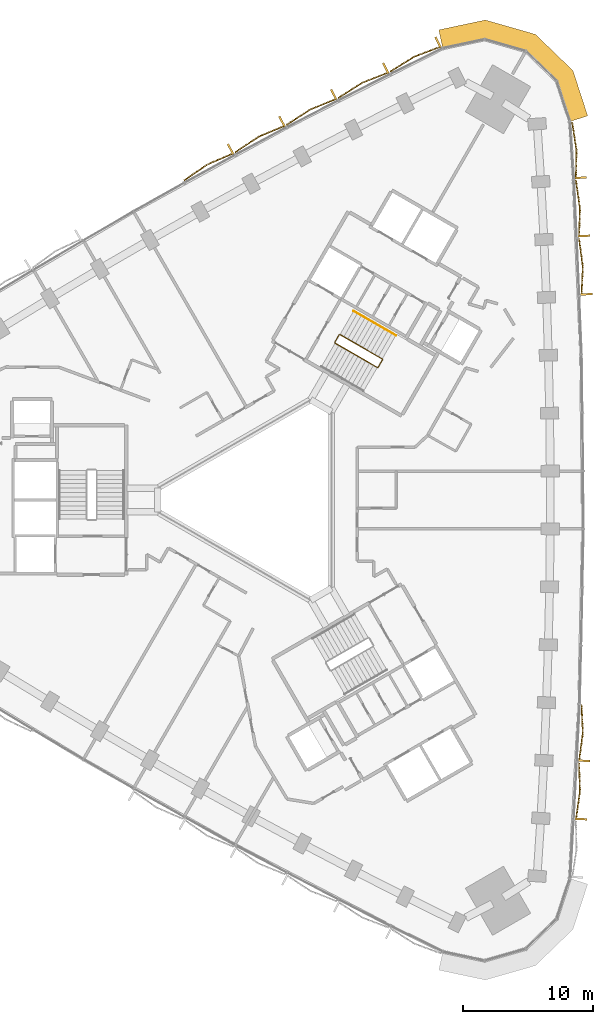
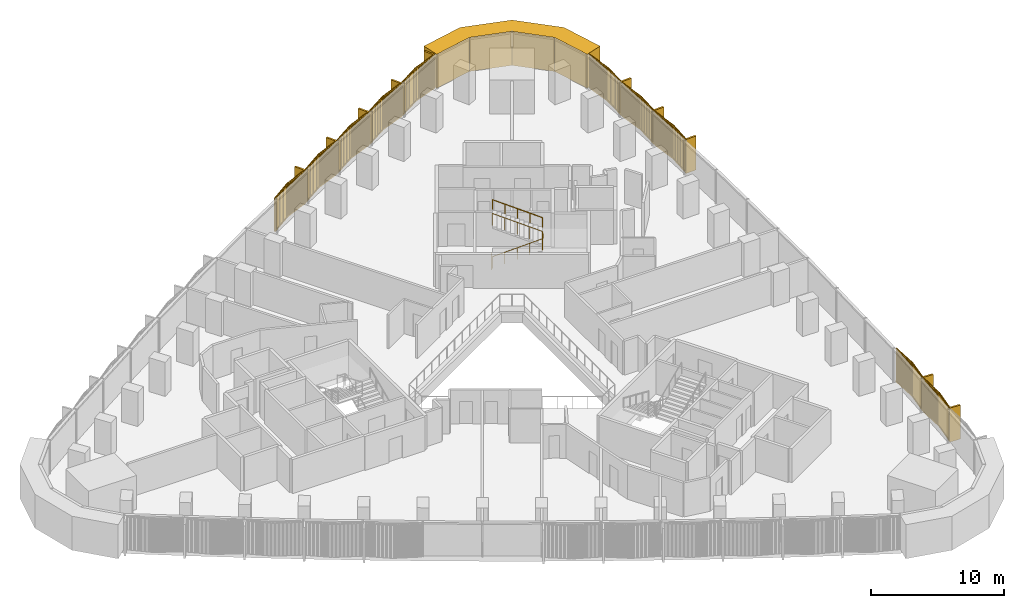
# One storey, part 15 of 15: 11 coverings, 2 railings.
"""IFC4 building model written with IfcOpenShell, lengths in metres."""

from ifc_helpers import new_model, si_unit, direction, frame, frame_2d, origin, origin_2d, place, context, subcontext, project, spatial, polyline, rectangle, circle, outline, extrude, source, transform, mapped, material, layer, layer_set, type_object, element, save


model = new_model("IFC4")

# Units and contexts
model_context = context("Model", 3, precision=1e-05, world=origin(), true_north=direction((0.0, 1.0)))
body_context = subcontext(model_context, "Body", "Model", "MODEL_VIEW")
ifc_project = project(units=[si_unit("LENGTHUNIT", "METRE"), si_unit("AREAUNIT", "SQUARE_METRE"), si_unit("VOLUMEUNIT", "CUBIC_METRE"), si_unit("PLANEANGLEUNIT", "RADIAN"), si_unit("MASSUNIT", "GRAM", prefix="KILO")], contexts=[model_context])

# Site, building, storey
site_placement = place(None, origin())
site = spatial("IfcSite", under=ifc_project, at=site_placement, CompositionType="ELEMENT")
building_placement = place(site_placement, origin())
building = spatial("IfcBuilding", under=site, at=building_placement, Name="Tamra Quay Hotel Tower", CompositionType="ELEMENT")
storey_placement = place(building_placement, frame((0.0, 0.0, 53.0)))
storey = spatial("IfcBuildingStorey", under=building, at=storey_placement, Name="L11", CompositionType="ELEMENT", Elevation=53.0)

# Covering
ifc_material_1 = material(Name="Precast concrete M60 terracotta-coloured", Category="masonry")
ifc_layer = layer(ifc_material_1, 1.449951171875)
ifc_layer_set = layer_set([ifc_layer], Name="CORNER PIER PANEL")
covering_type_1 = type_object("IfcCoveringType", Name="CORNER PIER PANEL", PredefinedType="CLADDING", material=ifc_layer_set)
covering_placement = place(storey_placement, origin())
element("IfcCovering", 1, at=covering_placement, inside=storey, type_object=covering_type_1, Name="Corner pier L11.east", PredefinedType="CLADDING", context=body_context, shape_type="SweptSolid", body=[
    extrude(outline(polyline([(23.40869140625, 29.210693359375), (24.78759765625, 29.658935546875), (23.65380859375, 33.148193359375), (20.75439453125, 35.947998046875), (16.88037109375, 37.058837890625), (13.29150390625, 36.296142578125), (13.593017578125, 34.877685546875), (16.828125, 35.5654296875), (20.00732421875, 34.65380859375), (22.386474609375, 32.356201171875), (23.40869140625, 29.210693359375)])), origin(), (0.0, 0.0, 1.0), 3.125),
])

# Railings
ifc_material_2 = material(Name="Stair guard 1100")
railing_type_1 = type_object("IfcRailingType", Name="Stair guard 1100", PredefinedType="GUARDRAIL", material=ifc_material_2)
railing_1_placement = place(storey_placement, frame((5.595458984375, 12.751953125, 0.0)))
element("IfcRailing", 2, at=railing_1_placement, inside=storey, type_object=railing_type_1, Name="GR", PredefinedType="GUARDRAIL", context=body_context, shape_type="SweptSolid", body=[
    extrude(circle(Radius=0.02392578125, at=origin_2d()), frame((0.0, 0.0, 1.076171875), z_axis=(-0.499765215335, -0.866160914346, 0.0), x_axis=(0.866160914346, -0.499765215335, 0.0)), (0.0, 0.0, 1.0), 0.658935546875),
    extrude(circle(Radius=0.02392578125, at=origin_2d()), frame((-0.329345703125, -0.57080078125, 1.076171875), z_axis=(0.110525977783, -0.411156637351, 0.904839338113), x_axis=(0.965715946433, 0.259601060869, 0.0)), (0.0, 0.0, 1.0), 0.165771484375),
    extrude(circle(Radius=0.02392578125, at=origin_2d()), frame((-0.31103515625, -0.638916015625, 1.22607421875), z_axis=(0.79305953016, -0.457922937641, 0.401700342053), x_axis=(0.500040788363, 0.866001853331, 0.0)), (0.0, 0.0, 1.0), 4.10791015625),
    extrude(circle(Radius=0.02392578125, at=origin_2d()), frame((2.94677734375, -2.52001953125, 2.8759765625), z_axis=(0.965948051503, 0.258736085224, 0.0), x_axis=(-0.258736085224, 0.965948051503, 0.0)), (0.0, 0.0, 1.0), 0.07080078125),
    extrude(circle(Radius=0.02392578125, at=origin_2d()), frame((3.01513671875, -2.501708984375, 2.8759765625), z_axis=(0.500043078269, 0.866000531106, 0.0), x_axis=(-0.866000531106, 0.500043078269, 0.0)), (0.0, 0.0, 1.0), 0.6591796875),
    extrude(circle(Radius=0.02392578125, at=origin_2d()), frame((3.3447265625, -1.930908203125, 2.8759765625), z_axis=(-0.110525977783, 0.411156637351, 0.904839338113), x_axis=(-0.965715946433, -0.259601060869, 0.0)), (0.0, 0.0, 1.0), 0.165771484375),
    extrude(circle(Radius=0.02392578125, at=origin_2d()), frame((3.326416015625, -1.86279296875, 3.02587890625), z_axis=(-0.793081581205, 0.457901355053, 0.401681409319), x_axis=(-0.500012686397, -0.866018079166, 0.0)), (0.0, 0.0, 1.0), 4.108154296875),
    extrude(circle(Radius=0.02099609375, at=origin_2d()), origin(), (0.0, 0.0, 1.0), 1.052001953125),
    extrude(circle(Radius=0.02099609375, at=origin_2d()), frame((-0.329345703125, -0.57080078125, 0.0)), (0.0, 0.0, 1.0), 1.052001953125),
    extrude(circle(Radius=0.02099609375, at=origin_2d()), frame((-0.31103515625, -0.638916015625, 0.14990234375)), (0.0, 0.0, 1.0), 1.052001953125),
    extrude(circle(Radius=0.02099609375, at=origin_2d()), frame((0.50341796875, -1.109130859375, 0.5625)), (0.0, 0.0, 1.0), 1.052001953125),
    extrude(circle(Radius=0.02099609375, at=origin_2d()), frame((1.31787109375, -1.57958984375, 0.97509765625)), (0.0, 0.0, 1.0), 1.052001953125),
    extrude(circle(Radius=0.02099609375, at=origin_2d()), frame((2.13232421875, -2.0498046875, 1.387451171875)), (0.0, 0.0, 1.0), 1.052001953125),
    extrude(circle(Radius=0.02099609375, at=origin_2d()), frame((2.94677734375, -2.52001953125, 1.800048828125)), (0.0, 0.0, 1.0), 1.052001953125),
    extrude(circle(Radius=0.02099609375, at=origin_2d()), frame((3.01513671875, -2.501708984375, 1.800048828125)), (0.0, 0.0, 1.0), 1.052001953125),
    extrude(circle(Radius=0.02099609375, at=origin_2d()), frame((3.3447265625, -1.930908203125, 1.800048828125)), (0.0, 0.0, 1.0), 1.052001953125),
    extrude(circle(Radius=0.02099609375, at=origin_2d()), frame((3.326416015625, -1.86279296875, 1.949951171875)), (0.0, 0.0, 1.0), 1.052001953125),
    extrude(circle(Radius=0.02099609375, at=origin_2d()), frame((2.511962890625, -1.392578125, 2.362548828125)), (0.0, 0.0, 1.0), 1.052001953125),
    extrude(circle(Radius=0.02099609375, at=origin_2d()), frame((1.697265625, -0.92236328125, 2.77490234375)), (0.0, 0.0, 1.0), 1.052001953125),
    extrude(circle(Radius=0.02099609375, at=origin_2d()), frame((0.8828125, -0.451904296875, 3.1875)), (0.0, 0.0, 1.0), 1.052001953125),
    extrude(circle(Radius=0.02099609375, at=origin_2d()), frame((0.068359375, 0.018310546875, 3.60009765625)), (0.0, 0.0, 1.0), 1.052001953125),
])
ifc_material_3 = material(Name="Stair handrail 900")
railing_type_2 = type_object("IfcRailingType", Name="Stair handrail 900", PredefinedType="HANDRAIL", material=ifc_material_3)
railing_2_placement = place(storey_placement, frame((9.971923828125, 12.7080078125, 1.949951171875)))
element("IfcRailing", 3, at=railing_2_placement, inside=storey, type_object=railing_type_2, Name="HR", PredefinedType="HANDRAIL", context=body_context, shape_type="SweptSolid", body=[
    extrude(circle(Radius=0.02392578125, at=origin_2d()), frame((0.0, 0.0, 0.8759765625), z_axis=(-0.793103162556, 0.457854384738, 0.401692339881), x_axis=(-0.499964013922, -0.86604617936, 0.0)), (0.0, 0.0, 1.0), 4.10791015625),
    extrude(circle(Radius=0.02099609375, at=origin_2d()), origin(), (0.0, 0.0, 1.0), 0.851806640625),
    extrude(circle(Radius=0.02099609375, at=origin_2d()), frame((-0.814453125, 0.47021484375, 0.41259765625)), (0.0, 0.0, 1.0), 0.851806640625),
    extrude(circle(Radius=0.02099609375, at=origin_2d()), frame((-1.62890625, 0.9404296875, 0.8251953125)), (0.0, 0.0, 1.0), 0.851806640625),
    extrude(circle(Radius=0.02099609375, at=origin_2d()), frame((-2.443603515625, 1.41064453125, 1.237548828125)), (0.0, 0.0, 1.0), 0.851806640625),
    extrude(circle(Radius=0.02099609375, at=origin_2d()), frame((-3.258056640625, 1.880859375, 1.650146484375)), (0.0, 0.0, 1.0), 0.851806640625),
])

# Coverings
ifc_material_4 = material(Name="Terracotta baguette extruded", Category="masonry")
covering_type_2 = type_object("IfcCoveringType", Name="BAGUETTE SCREEN E-V H3125", PredefinedType="USERDEFINED", material=ifc_material_4)
shared_shape_1 = source(origin(), body_context, "Body", "SweptSolid", [
    extrude(rectangle(XDim=2.2109375, YDim=0.06005859375, at=frame_2d((1.10546875, 0.030029296875))), frame((-2.207763671875, -0.057861328125, -0.1201171875), z_axis=(0.0, 0.0, 1.0), x_axis=(0.996194698092, -0.087155742748, 0.0)), (0.0, 0.0, 1.0), 0.1201171875),
    extrude(rectangle(XDim=2.2109375, YDim=0.06005859375, at=frame_2d((1.10546875, 0.030029296875))), frame((-2.207763671875, -0.057861328125, -3.125), z_axis=(0.0, 0.0, 1.0), x_axis=(0.996194698092, -0.087155742748, 0.0)), (0.0, 0.0, 1.0), 0.1201171875),
    extrude(rectangle(XDim=0.070068359375, YDim=0.10009765625, at=frame_2d((0.03515625, 0.050048828125))), frame((-2.1875, -0.13232421875, -3.06494140625)), (0.0, 0.0, 1.0), 3.0048828125),
    extrude(rectangle(XDim=0.070068359375, YDim=0.10009765625, at=frame_2d((0.03515625, 0.050048828125))), frame((-2.08740234375, -0.14111328125, -3.06494140625)), (0.0, 0.0, 1.0), 3.0048828125),
    extrude(rectangle(XDim=0.070068359375, YDim=0.10009765625, at=frame_2d((0.03515625, 0.050048828125))), frame((-1.9873046875, -0.14990234375, -3.06494140625)), (0.0, 0.0, 1.0), 3.0048828125),
    extrude(rectangle(XDim=0.070068359375, YDim=0.10009765625, at=frame_2d((0.03515625, 0.050048828125))), frame((-1.88720703125, -0.15869140625, -3.06494140625)), (0.0, 0.0, 1.0), 3.0048828125),
    extrude(rectangle(XDim=0.070068359375, YDim=0.10009765625, at=frame_2d((0.03515625, 0.050048828125))), frame((-1.787109375, -0.16748046875, -3.06494140625)), (0.0, 0.0, 1.0), 3.0048828125),
    extrude(rectangle(XDim=0.070068359375, YDim=0.10009765625, at=frame_2d((0.03515625, 0.050048828125))), frame((-1.686767578125, -0.17626953125, -3.06494140625)), (0.0, 0.0, 1.0), 3.0048828125),
    extrude(rectangle(XDim=0.070068359375, YDim=0.10009765625, at=frame_2d((0.03515625, 0.050048828125))), frame((-1.586669921875, -0.184814453125, -3.06494140625)), (0.0, 0.0, 1.0), 3.0048828125),
    extrude(rectangle(XDim=0.070068359375, YDim=0.10009765625, at=frame_2d((0.03515625, 0.050048828125))), frame((-1.486572265625, -0.193603515625, -3.06494140625)), (0.0, 0.0, 1.0), 3.0048828125),
    extrude(rectangle(XDim=0.070068359375, YDim=0.10009765625, at=frame_2d((0.03515625, 0.050048828125))), frame((-1.386474609375, -0.202392578125, -3.06494140625)), (0.0, 0.0, 1.0), 3.0048828125),
    extrude(rectangle(XDim=0.070068359375, YDim=0.10009765625, at=frame_2d((0.03515625, 0.050048828125))), frame((-1.286376953125, -0.211181640625, -3.06494140625)), (0.0, 0.0, 1.0), 3.0048828125),
    extrude(rectangle(XDim=0.070068359375, YDim=0.10009765625, at=frame_2d((0.03515625, 0.050048828125))), frame((-1.186279296875, -0.219970703125, -3.06494140625)), (0.0, 0.0, 1.0), 3.0048828125),
    extrude(rectangle(XDim=0.070068359375, YDim=0.10009765625, at=frame_2d((0.03515625, 0.050048828125))), frame((-1.086181640625, -0.228759765625, -3.06494140625)), (0.0, 0.0, 1.0), 3.0048828125),
    extrude(rectangle(XDim=0.070068359375, YDim=0.10009765625, at=frame_2d((0.03515625, 0.050048828125))), frame((-0.986083984375, -0.237548828125, -3.06494140625)), (0.0, 0.0, 1.0), 3.0048828125),
    extrude(rectangle(XDim=0.070068359375, YDim=0.10009765625, at=frame_2d((0.03515625, 0.050048828125))), frame((-0.885986328125, -0.246337890625, -3.06494140625)), (0.0, 0.0, 1.0), 3.0048828125),
    extrude(rectangle(XDim=0.070068359375, YDim=0.10009765625, at=frame_2d((0.03515625, 0.050048828125))), frame((-0.785888671875, -0.2548828125, -3.06494140625)), (0.0, 0.0, 1.0), 3.0048828125),
    extrude(rectangle(XDim=0.070068359375, YDim=0.10009765625, at=frame_2d((0.03515625, 0.050048828125))), frame((-0.685791015625, -0.263671875, -3.06494140625)), (0.0, 0.0, 1.0), 3.0048828125),
    extrude(rectangle(XDim=0.070068359375, YDim=0.10009765625, at=frame_2d((0.03515625, 0.050048828125))), frame((-0.585693359375, -0.2724609375, -3.06494140625)), (0.0, 0.0, 1.0), 3.0048828125),
    extrude(rectangle(XDim=0.070068359375, YDim=0.10009765625, at=frame_2d((0.03515625, 0.050048828125))), frame((-0.485595703125, -0.28125, -3.06494140625)), (0.0, 0.0, 1.0), 3.0048828125),
    extrude(rectangle(XDim=0.070068359375, YDim=0.10009765625, at=frame_2d((0.03515625, 0.050048828125))), frame((-0.385498046875, -0.2900390625, -3.06494140625)), (0.0, 0.0, 1.0), 3.0048828125),
    extrude(rectangle(XDim=0.070068359375, YDim=0.10009765625, at=frame_2d((0.03515625, 0.050048828125))), frame((-0.285400390625, -0.298828125, -3.06494140625)), (0.0, 0.0, 1.0), 3.0048828125),
    extrude(rectangle(XDim=0.070068359375, YDim=0.10009765625, at=frame_2d((0.03515625, 0.050048828125))), frame((-0.18505859375, -0.3076171875, -3.06494140625)), (0.0, 0.0, 1.0), 3.0048828125),
    extrude(rectangle(XDim=0.070068359375, YDim=0.10009765625, at=frame_2d((0.03515625, 0.050048828125))), frame((-0.0849609375, -0.31640625, -3.06494140625)), (0.0, 0.0, 1.0), 3.0048828125),
    extrude(rectangle(XDim=2.2109375, YDim=0.06005859375, at=frame_2d((1.10546875, 0.030029296875))), frame((0.005126953125, -0.25048828125, -0.1201171875), z_axis=(0.0, 0.0, 1.0), x_axis=(0.996194698092, 0.087155742748, 0.0)), (0.0, 0.0, 1.0), 0.1201171875),
    extrude(rectangle(XDim=2.2109375, YDim=0.06005859375, at=frame_2d((1.10546875, 0.030029296875))), frame((0.005126953125, -0.25048828125, -3.125), z_axis=(0.0, 0.0, 1.0), x_axis=(0.996194698092, 0.087155742748, 0.0)), (0.0, 0.0, 1.0), 0.1201171875),
    extrude(rectangle(XDim=0.070068359375, YDim=0.10009765625, at=frame_2d((0.03515625, 0.050048828125))), frame((0.01513671875, -0.31640625, -3.06494140625)), (0.0, 0.0, 1.0), 3.0048828125),
    extrude(rectangle(XDim=0.070068359375, YDim=0.10009765625, at=frame_2d((0.03515625, 0.050048828125))), frame((0.115234375, -0.3076171875, -3.06494140625)), (0.0, 0.0, 1.0), 3.0048828125),
    extrude(rectangle(XDim=0.070068359375, YDim=0.10009765625, at=frame_2d((0.03515625, 0.050048828125))), frame((0.21533203125, -0.298828125, -3.06494140625)), (0.0, 0.0, 1.0), 3.0048828125),
    extrude(rectangle(XDim=0.070068359375, YDim=0.10009765625, at=frame_2d((0.03515625, 0.050048828125))), frame((0.3154296875, -0.2900390625, -3.06494140625)), (0.0, 0.0, 1.0), 3.0048828125),
    extrude(rectangle(XDim=0.070068359375, YDim=0.10009765625, at=frame_2d((0.03515625, 0.050048828125))), frame((0.41552734375, -0.28125, -3.06494140625)), (0.0, 0.0, 1.0), 3.0048828125),
    extrude(rectangle(XDim=0.070068359375, YDim=0.10009765625, at=frame_2d((0.03515625, 0.050048828125))), frame((0.515625, -0.2724609375, -3.06494140625)), (0.0, 0.0, 1.0), 3.0048828125),
    extrude(rectangle(XDim=0.070068359375, YDim=0.10009765625, at=frame_2d((0.03515625, 0.050048828125))), frame((0.61572265625, -0.263671875, -3.06494140625)), (0.0, 0.0, 1.0), 3.0048828125),
    extrude(rectangle(XDim=0.070068359375, YDim=0.10009765625, at=frame_2d((0.03515625, 0.050048828125))), frame((0.7158203125, -0.2548828125, -3.06494140625)), (0.0, 0.0, 1.0), 3.0048828125),
    extrude(rectangle(XDim=0.070068359375, YDim=0.10009765625, at=frame_2d((0.03515625, 0.050048828125))), frame((0.81591796875, -0.246337890625, -3.06494140625)), (0.0, 0.0, 1.0), 3.0048828125),
    extrude(rectangle(XDim=0.070068359375, YDim=0.10009765625, at=frame_2d((0.03515625, 0.050048828125))), frame((0.916015625, -0.237548828125, -3.06494140625)), (0.0, 0.0, 1.0), 3.0048828125),
    extrude(rectangle(XDim=0.070068359375, YDim=0.10009765625, at=frame_2d((0.03515625, 0.050048828125))), frame((1.01611328125, -0.228759765625, -3.06494140625)), (0.0, 0.0, 1.0), 3.0048828125),
    extrude(rectangle(XDim=0.070068359375, YDim=0.10009765625, at=frame_2d((0.03515625, 0.050048828125))), frame((1.1162109375, -0.219970703125, -3.06494140625)), (0.0, 0.0, 1.0), 3.0048828125),
    extrude(rectangle(XDim=0.070068359375, YDim=0.10009765625, at=frame_2d((0.03515625, 0.050048828125))), frame((1.21630859375, -0.211181640625, -3.06494140625)), (0.0, 0.0, 1.0), 3.0048828125),
    extrude(rectangle(XDim=0.070068359375, YDim=0.10009765625, at=frame_2d((0.03515625, 0.050048828125))), frame((1.316650390625, -0.202392578125, -3.06494140625)), (0.0, 0.0, 1.0), 3.0048828125),
    extrude(rectangle(XDim=0.070068359375, YDim=0.10009765625, at=frame_2d((0.03515625, 0.050048828125))), frame((1.416748046875, -0.193603515625, -3.06494140625)), (0.0, 0.0, 1.0), 3.0048828125),
    extrude(rectangle(XDim=0.070068359375, YDim=0.10009765625, at=frame_2d((0.03515625, 0.050048828125))), frame((1.516845703125, -0.184814453125, -3.06494140625)), (0.0, 0.0, 1.0), 3.0048828125),
    extrude(rectangle(XDim=0.070068359375, YDim=0.10009765625, at=frame_2d((0.03515625, 0.050048828125))), frame((1.616943359375, -0.17626953125, -3.06494140625)), (0.0, 0.0, 1.0), 3.0048828125),
    extrude(rectangle(XDim=0.070068359375, YDim=0.10009765625, at=frame_2d((0.03515625, 0.050048828125))), frame((1.717041015625, -0.16748046875, -3.06494140625)), (0.0, 0.0, 1.0), 3.0048828125),
    extrude(rectangle(XDim=0.070068359375, YDim=0.10009765625, at=frame_2d((0.03515625, 0.050048828125))), frame((1.817138671875, -0.15869140625, -3.06494140625)), (0.0, 0.0, 1.0), 3.0048828125),
    extrude(rectangle(XDim=0.070068359375, YDim=0.10009765625, at=frame_2d((0.03515625, 0.050048828125))), frame((1.917236328125, -0.14990234375, -3.06494140625)), (0.0, 0.0, 1.0), 3.0048828125),
    extrude(rectangle(XDim=0.070068359375, YDim=0.10009765625, at=frame_2d((0.03515625, 0.050048828125))), frame((2.017333984375, -0.14111328125, -3.06494140625)), (0.0, 0.0, 1.0), 3.0048828125),
    extrude(rectangle(XDim=0.070068359375, YDim=0.10009765625, at=frame_2d((0.03515625, 0.050048828125))), frame((2.117431640625, -0.13232421875, -3.06494140625)), (0.0, 0.0, 1.0), 3.0048828125),
    extrude(rectangle(XDim=0.14990234375, YDim=0.902099609375, at=frame_2d((0.074951171875, 0.451171875))), frame((-2.202392578125, -0.89990234375, -3.125)), (0.0, 0.0, 1.0), 3.125),
])
for number, where, z_axis, x_axis, name in (
    (4, (23.939453125, -22.484130859375, 3.125), (0.0, 0.0, 1.0), (0.054062119595, 0.998537574268, 0.0), "Baguette screen L11.E.f01"),
    (5, (24.158447265625, -17.990234375, 3.125), (0.0, 0.0, 1.0), (0.043285462035, 0.999062745165, 0.0), "Baguette screen L11.E.f02"),
    (6, (24.158447265625, 17.990234375, 3.125), (0.0, 0.0, 1.0), (-0.043285462035, 0.999062745165, 0.0), "Baguette screen L11.E.f10"),
    (7, (23.939453125, 22.484130859375, 3.125), (0.0, 0.0, 1.0), (-0.054062119595, 0.998537574268, 0.0), "Baguette screen L11.E.f11"),
    (8, (23.672119140625, 26.97509765625, 3.125), (0.0, 0.0, 1.0), (-0.064813097616, 0.997897420769, 0.0), "Baguette screen L11.E.f12"),
):
    element("IfcCovering", number, at=place(storey_placement, frame(where, z_axis=z_axis, x_axis=x_axis)), inside=storey, type_object=covering_type_2, Name=name, ObjectType="BAGUETTE SCREEN", PredefinedType="USERDEFINED", context=body_context, shape_type="MappedRepresentation", body=[
        mapped(shared_shape_1, transform((0.0, 0.0, 0.0), scale=1.0)),
    ])
covering_type_3 = type_object("IfcCoveringType", Name="BAGUETTE SCREEN NW-V H3125", PredefinedType="USERDEFINED", material=ifc_material_4)
shared_shape_2 = source(origin(), body_context, "Body", "SweptSolid", [
    extrude(rectangle(XDim=2.212646484375, YDim=0.06005859375, at=frame_2d((1.1064453125, 0.030029296875))), frame((-2.208251953125, -0.0576171875, -0.1201171875), z_axis=(0.0, 0.0, 1.0), x_axis=(0.995396198367, -0.09584575252, 0.0)), (0.0, 0.0, 1.0), 0.1201171875),
    extrude(rectangle(XDim=2.212646484375, YDim=0.06005859375, at=frame_2d((1.1064453125, 0.030029296875))), frame((-2.208251953125, -0.0576171875, -3.125), z_axis=(0.0, 0.0, 1.0), x_axis=(0.995396198367, -0.09584575252, 0.0)), (0.0, 0.0, 1.0), 0.1201171875),
    extrude(rectangle(XDim=0.070068359375, YDim=0.10009765625, at=frame_2d((0.03515625, 0.050048828125))), frame((-2.1875, -0.1328125, -3.06494140625)), (0.0, 0.0, 1.0), 3.0048828125),
    extrude(rectangle(XDim=0.070068359375, YDim=0.10009765625, at=frame_2d((0.03515625, 0.050048828125))), frame((-2.08740234375, -0.142578125, -3.06494140625)), (0.0, 0.0, 1.0), 3.0048828125),
    extrude(rectangle(XDim=0.070068359375, YDim=0.10009765625, at=frame_2d((0.03515625, 0.050048828125))), frame((-1.9873046875, -0.152099609375, -3.06494140625)), (0.0, 0.0, 1.0), 3.0048828125),
    extrude(rectangle(XDim=0.070068359375, YDim=0.10009765625, at=frame_2d((0.03515625, 0.050048828125))), frame((-1.88720703125, -0.16162109375, -3.06494140625)), (0.0, 0.0, 1.0), 3.0048828125),
    extrude(rectangle(XDim=0.070068359375, YDim=0.10009765625, at=frame_2d((0.03515625, 0.050048828125))), frame((-1.787109375, -0.17138671875, -3.06494140625)), (0.0, 0.0, 1.0), 3.0048828125),
    extrude(rectangle(XDim=0.070068359375, YDim=0.10009765625, at=frame_2d((0.03515625, 0.050048828125))), frame((-1.686767578125, -0.180908203125, -3.06494140625)), (0.0, 0.0, 1.0), 3.0048828125),
    extrude(rectangle(XDim=0.070068359375, YDim=0.10009765625, at=frame_2d((0.03515625, 0.050048828125))), frame((-1.586669921875, -0.190673828125, -3.06494140625)), (0.0, 0.0, 1.0), 3.0048828125),
    extrude(rectangle(XDim=0.070068359375, YDim=0.10009765625, at=frame_2d((0.03515625, 0.050048828125))), frame((-1.486572265625, -0.2001953125, -3.06494140625)), (0.0, 0.0, 1.0), 3.0048828125),
    extrude(rectangle(XDim=0.070068359375, YDim=0.10009765625, at=frame_2d((0.03515625, 0.050048828125))), frame((-1.386474609375, -0.2099609375, -3.06494140625)), (0.0, 0.0, 1.0), 3.0048828125),
    extrude(rectangle(XDim=0.070068359375, YDim=0.10009765625, at=frame_2d((0.03515625, 0.050048828125))), frame((-1.286376953125, -0.219482421875, -3.06494140625)), (0.0, 0.0, 1.0), 3.0048828125),
    extrude(rectangle(XDim=0.070068359375, YDim=0.10009765625, at=frame_2d((0.03515625, 0.050048828125))), frame((-1.186279296875, -0.229248046875, -3.06494140625)), (0.0, 0.0, 1.0), 3.0048828125),
    extrude(rectangle(XDim=0.070068359375, YDim=0.10009765625, at=frame_2d((0.03515625, 0.050048828125))), frame((-1.086181640625, -0.23876953125, -3.06494140625)), (0.0, 0.0, 1.0), 3.0048828125),
    extrude(rectangle(XDim=0.070068359375, YDim=0.10009765625, at=frame_2d((0.03515625, 0.050048828125))), frame((-0.986083984375, -0.24853515625, -3.06494140625)), (0.0, 0.0, 1.0), 3.0048828125),
    extrude(rectangle(XDim=0.070068359375, YDim=0.10009765625, at=frame_2d((0.03515625, 0.050048828125))), frame((-0.885986328125, -0.258056640625, -3.06494140625)), (0.0, 0.0, 1.0), 3.0048828125),
    extrude(rectangle(XDim=0.070068359375, YDim=0.10009765625, at=frame_2d((0.03515625, 0.050048828125))), frame((-0.785888671875, -0.267822265625, -3.06494140625)), (0.0, 0.0, 1.0), 3.0048828125),
    extrude(rectangle(XDim=0.070068359375, YDim=0.10009765625, at=frame_2d((0.03515625, 0.050048828125))), frame((-0.685791015625, -0.27734375, -3.06494140625)), (0.0, 0.0, 1.0), 3.0048828125),
    extrude(rectangle(XDim=0.070068359375, YDim=0.10009765625, at=frame_2d((0.03515625, 0.050048828125))), frame((-0.585693359375, -0.287109375, -3.06494140625)), (0.0, 0.0, 1.0), 3.0048828125),
    extrude(rectangle(XDim=0.070068359375, YDim=0.10009765625, at=frame_2d((0.03515625, 0.050048828125))), frame((-0.485595703125, -0.296630859375, -3.06494140625)), (0.0, 0.0, 1.0), 3.0048828125),
    extrude(rectangle(XDim=0.070068359375, YDim=0.10009765625, at=frame_2d((0.03515625, 0.050048828125))), frame((-0.385498046875, -0.306396484375, -3.06494140625)), (0.0, 0.0, 1.0), 3.0048828125),
    extrude(rectangle(XDim=0.070068359375, YDim=0.10009765625, at=frame_2d((0.03515625, 0.050048828125))), frame((-0.285400390625, -0.31591796875, -3.06494140625)), (0.0, 0.0, 1.0), 3.0048828125),
    extrude(rectangle(XDim=0.070068359375, YDim=0.10009765625, at=frame_2d((0.03515625, 0.050048828125))), frame((-0.18505859375, -0.32568359375, -3.06494140625)), (0.0, 0.0, 1.0), 3.0048828125),
    extrude(rectangle(XDim=0.070068359375, YDim=0.10009765625, at=frame_2d((0.03515625, 0.050048828125))), frame((-0.0849609375, -0.335205078125, -3.06494140625)), (0.0, 0.0, 1.0), 3.0048828125),
    extrude(rectangle(XDim=2.212646484375, YDim=0.06005859375, at=frame_2d((1.1064453125, 0.030029296875))), frame((0.005859375, -0.269775390625, -0.1201171875), z_axis=(0.0, 0.0, 1.0), x_axis=(0.995396198367, 0.09584575252, 0.0)), (0.0, 0.0, 1.0), 0.1201171875),
    extrude(rectangle(XDim=2.212646484375, YDim=0.06005859375, at=frame_2d((1.1064453125, 0.030029296875))), frame((0.005859375, -0.269775390625, -3.125), z_axis=(0.0, 0.0, 1.0), x_axis=(0.995396198367, 0.09584575252, 0.0)), (0.0, 0.0, 1.0), 0.1201171875),
    extrude(rectangle(XDim=0.070068359375, YDim=0.10009765625, at=frame_2d((0.03515625, 0.050048828125))), frame((0.01513671875, -0.335205078125, -3.06494140625)), (0.0, 0.0, 1.0), 3.0048828125),
    extrude(rectangle(XDim=0.070068359375, YDim=0.10009765625, at=frame_2d((0.03515625, 0.050048828125))), frame((0.115234375, -0.32568359375, -3.06494140625)), (0.0, 0.0, 1.0), 3.0048828125),
    extrude(rectangle(XDim=0.070068359375, YDim=0.10009765625, at=frame_2d((0.03515625, 0.050048828125))), frame((0.21533203125, -0.31591796875, -3.06494140625)), (0.0, 0.0, 1.0), 3.0048828125),
    extrude(rectangle(XDim=0.070068359375, YDim=0.10009765625, at=frame_2d((0.03515625, 0.050048828125))), frame((0.3154296875, -0.306396484375, -3.06494140625)), (0.0, 0.0, 1.0), 3.0048828125),
    extrude(rectangle(XDim=0.070068359375, YDim=0.10009765625, at=frame_2d((0.03515625, 0.050048828125))), frame((0.41552734375, -0.296630859375, -3.06494140625)), (0.0, 0.0, 1.0), 3.0048828125),
    extrude(rectangle(XDim=0.070068359375, YDim=0.10009765625, at=frame_2d((0.03515625, 0.050048828125))), frame((0.515625, -0.287109375, -3.06494140625)), (0.0, 0.0, 1.0), 3.0048828125),
    extrude(rectangle(XDim=0.070068359375, YDim=0.10009765625, at=frame_2d((0.03515625, 0.050048828125))), frame((0.61572265625, -0.27734375, -3.06494140625)), (0.0, 0.0, 1.0), 3.0048828125),
    extrude(rectangle(XDim=0.070068359375, YDim=0.10009765625, at=frame_2d((0.03515625, 0.050048828125))), frame((0.7158203125, -0.267822265625, -3.06494140625)), (0.0, 0.0, 1.0), 3.0048828125),
    extrude(rectangle(XDim=0.070068359375, YDim=0.10009765625, at=frame_2d((0.03515625, 0.050048828125))), frame((0.81591796875, -0.258056640625, -3.06494140625)), (0.0, 0.0, 1.0), 3.0048828125),
    extrude(rectangle(XDim=0.070068359375, YDim=0.10009765625, at=frame_2d((0.03515625, 0.050048828125))), frame((0.916015625, -0.24853515625, -3.06494140625)), (0.0, 0.0, 1.0), 3.0048828125),
    extrude(rectangle(XDim=0.070068359375, YDim=0.10009765625, at=frame_2d((0.03515625, 0.050048828125))), frame((1.01611328125, -0.23876953125, -3.06494140625)), (0.0, 0.0, 1.0), 3.0048828125),
    extrude(rectangle(XDim=0.070068359375, YDim=0.10009765625, at=frame_2d((0.03515625, 0.050048828125))), frame((1.1162109375, -0.229248046875, -3.06494140625)), (0.0, 0.0, 1.0), 3.0048828125),
    extrude(rectangle(XDim=0.070068359375, YDim=0.10009765625, at=frame_2d((0.03515625, 0.050048828125))), frame((1.21630859375, -0.219482421875, -3.06494140625)), (0.0, 0.0, 1.0), 3.0048828125),
    extrude(rectangle(XDim=0.070068359375, YDim=0.10009765625, at=frame_2d((0.03515625, 0.050048828125))), frame((1.316650390625, -0.2099609375, -3.06494140625)), (0.0, 0.0, 1.0), 3.0048828125),
    extrude(rectangle(XDim=0.070068359375, YDim=0.10009765625, at=frame_2d((0.03515625, 0.050048828125))), frame((1.416748046875, -0.2001953125, -3.06494140625)), (0.0, 0.0, 1.0), 3.0048828125),
    extrude(rectangle(XDim=0.070068359375, YDim=0.10009765625, at=frame_2d((0.03515625, 0.050048828125))), frame((1.516845703125, -0.190673828125, -3.06494140625)), (0.0, 0.0, 1.0), 3.0048828125),
    extrude(rectangle(XDim=0.070068359375, YDim=0.10009765625, at=frame_2d((0.03515625, 0.050048828125))), frame((1.616943359375, -0.180908203125, -3.06494140625)), (0.0, 0.0, 1.0), 3.0048828125),
    extrude(rectangle(XDim=0.070068359375, YDim=0.10009765625, at=frame_2d((0.03515625, 0.050048828125))), frame((1.717041015625, -0.17138671875, -3.06494140625)), (0.0, 0.0, 1.0), 3.0048828125),
    extrude(rectangle(XDim=0.070068359375, YDim=0.10009765625, at=frame_2d((0.03515625, 0.050048828125))), frame((1.817138671875, -0.16162109375, -3.06494140625)), (0.0, 0.0, 1.0), 3.0048828125),
    extrude(rectangle(XDim=0.070068359375, YDim=0.10009765625, at=frame_2d((0.03515625, 0.050048828125))), frame((1.917236328125, -0.152099609375, -3.06494140625)), (0.0, 0.0, 1.0), 3.0048828125),
    extrude(rectangle(XDim=0.070068359375, YDim=0.10009765625, at=frame_2d((0.03515625, 0.050048828125))), frame((2.017333984375, -0.142578125, -3.06494140625)), (0.0, 0.0, 1.0), 3.0048828125),
    extrude(rectangle(XDim=0.070068359375, YDim=0.10009765625, at=frame_2d((0.03515625, 0.050048828125))), frame((2.117431640625, -0.1328125, -3.06494140625)), (0.0, 0.0, 1.0), 3.0048828125),
    extrude(rectangle(XDim=0.14990234375, YDim=0.902099609375, at=frame_2d((0.074951171875, 0.451171875))), frame((-2.202392578125, -0.89990234375, -3.125)), (0.0, 0.0, 1.0), 3.125),
])
for number, where, z_axis, x_axis, name in (
    (9, (11.52490234375, 33.988037109375, 3.125), (0.0, 0.0, 1.0), (-0.896611065565, -0.442818921351, 0.0), "Baguette screen L11.NW.f00"),
    (10, (7.501953125, 31.97412109375, 3.125), (0.0, 0.0, 1.0), (-0.891789965747, -0.452449618182, 0.0), "Baguette screen L11.NW.f01"),
    (11, (3.500732421875, 29.9169921875, 3.125), (0.0, 0.0, 1.0), (-0.886856448305, -0.462045062846, 0.0), "Baguette screen L11.NW.f02"),
    (12, (-0.4775390625, 27.81689453125, 3.125), (0.0, 0.0, 1.0), (-0.881806022199, -0.47161227636, 0.0), "Baguette screen L11.NW.f03"),
    (13, (-4.43359375, 25.67333984375, 3.125), (0.0, 0.0, 1.0), (-0.876650997922, -0.481126831347, 0.0), "Baguette screen L11.NW.f04"),
):
    element("IfcCovering", number, at=place(storey_placement, frame(where, z_axis=z_axis, x_axis=x_axis)), inside=storey, type_object=covering_type_3, Name=name, ObjectType="BAGUETTE SCREEN", PredefinedType="USERDEFINED", context=body_context, shape_type="MappedRepresentation", body=[
        mapped(shared_shape_2, transform((0.0, 0.0, 0.0), scale=1.0)),
    ])

save(model, "model.ifc")
